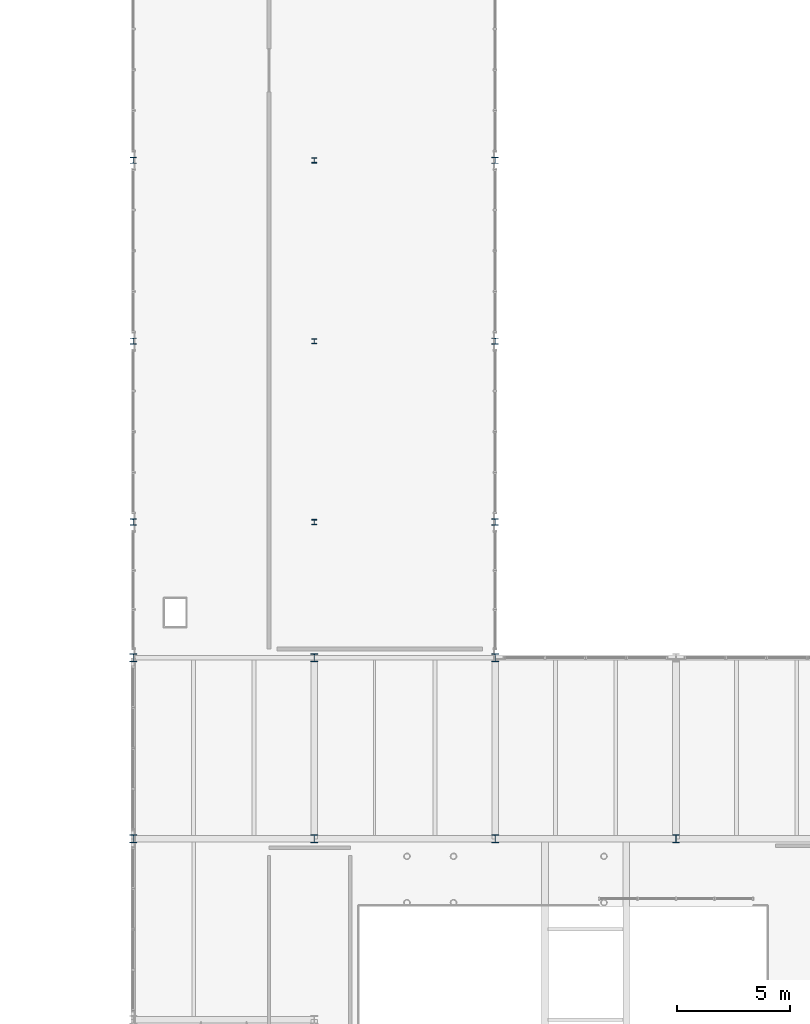
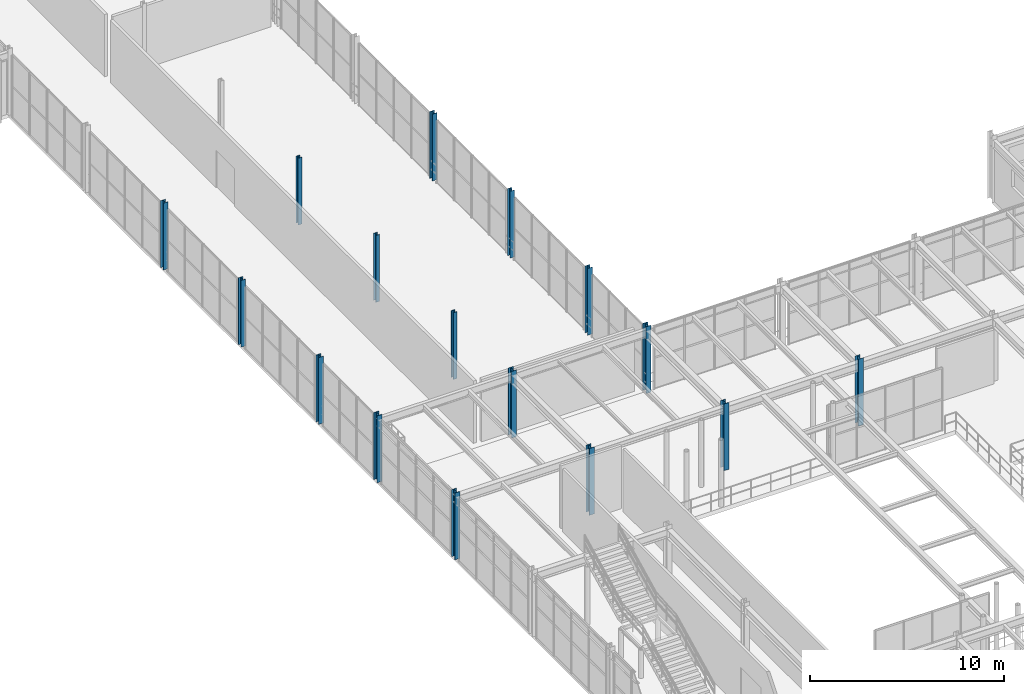
# One storey, part 5 of 122: 16 columns.
"""IFC4 building model written with IfcOpenShell, lengths in metres."""

from ifc_helpers import new_model, si_unit, direction, frame, origin, origin_2d, place, context, subcontext, project, spatial, i_section, extrude, material, material_profile, profile_set, type_object, element, save


model = new_model("IFC4")

# Units and contexts
model_context = context("Model", 3, precision=1e-05, world=origin(), true_north=direction((0.0, 1.0)))
body_context = subcontext(model_context, "Body", "Model", "MODEL_VIEW")
ifc_project = project(units=[si_unit("LENGTHUNIT", "METRE"), si_unit("AREAUNIT", "SQUARE_METRE"), si_unit("VOLUMEUNIT", "CUBIC_METRE"), si_unit("PLANEANGLEUNIT", "RADIAN"), si_unit("MASSUNIT", "GRAM", prefix="KILO")], contexts=[model_context])

# Site, building, storey
site_placement = place(None, origin())
site = spatial("IfcSite", under=ifc_project, at=site_placement, CompositionType="ELEMENT")
building_placement = place(site_placement, origin())
building = spatial("IfcBuilding", under=site, at=building_placement, Name="Sundkrona Museum", CompositionType="ELEMENT")
storey_placement = place(building_placement, frame((0.0, 0.0, 5.39990234375)))
storey = spatial("IfcBuildingStorey", under=building, at=storey_placement, Name="L01", CompositionType="ELEMENT", Elevation=5.39990234375)

# Columns
ifc_material = material(Name="Steel S355J2", Category="steel")
ifc_material_profile_1 = material_profile(ifc_material, i_section(OverallWidth=0.280029296875, OverallDepth=0.280029296875, WebThickness=0.010498046875, FlangeThickness=0.01806640625, FilletRadius=0.02392578125, at=origin_2d()), Name="HEB 280")
ifc_profile_set_1 = profile_set([ifc_material_profile_1], Name="Steel S355J2")
column_type_1 = type_object("IfcColumnType", Name="C-HEB280", PredefinedType="COLUMN", material=ifc_profile_set_1)
for number, where, z_axis, x_axis, name in (
    (1, (80.0, 46.0, 0.0), (0.0, 0.0, 1.0), (1.0, 0.0, 0.0), "L01 Column G/11"),
    (2, (80.0, 54.0, 0.0), (0.0, 0.0, 1.0), (1.0, 0.0, 0.0), "L01 Column H/11"),
    (3, (80.0, 62.0, 0.0), (0.0, 0.0, 1.0), (1.0, 0.0, 0.0), "L01 Column J/11"),
    (4, (96.0, 46.0, 0.0), (0.0, 0.0, 1.0), (1.0, 0.0, 0.0), "L01 Column G/13"),
    (5, (96.0, 54.0, 0.0), (0.0, 0.0, 1.0), (1.0, 0.0, 0.0), "L01 Column H/13"),
    (6, (96.0, 62.0, 0.0), (0.0, 0.0, 1.0), (1.0, 0.0, 0.0), "L01 Column J/13"),
):
    element("IfcColumn", number, at=place(storey_placement, frame(where, z_axis=z_axis, x_axis=x_axis)), inside=storey, type_object=column_type_1, Name=name, PredefinedType="COLUMN", context=body_context, shape_type="SweptSolid", body=[
        extrude(i_section(OverallWidth=0.280029296875, OverallDepth=0.280029296875, WebThickness=0.010498046875, FlangeThickness=0.01806640625, FilletRadius=0.02392578125, at=origin_2d()), origin(), (0.0, 0.0, 1.0), 4.2001953125),
    ])
ifc_material_profile_2 = material_profile(ifc_material, i_section(OverallWidth=0.300048828125, OverallDepth=0.360107421875, WebThickness=0.012451171875, FlangeThickness=0.0224609375, FilletRadius=0.027099609375, at=origin_2d()), Name="HEB 360")
ifc_profile_set_2 = profile_set([ifc_material_profile_2], Name="Steel S355J2")
column_type_2 = type_object("IfcColumnType", Name="C-HEB360", PredefinedType="COLUMN", material=ifc_profile_set_2)
for number, where, z_axis, x_axis, name in (
    (7, (80.0, 32.0, 0.0), (0.0, 0.0, 1.0), (1.0, 0.0, 0.0), "L01 Column E/11"),
    (8, (80.0, 40.0, 0.0), (0.0, 0.0, 1.0), (1.0, 0.0, 0.0), "L01 Column F/11"),
    (9, (88.0, 32.0, 0.0), (0.0, 0.0, 1.0), (1.0, 0.0, 0.0), "L01 Column E/12"),
    (10, (88.0, 40.0, 0.0), (0.0, 0.0, 1.0), (1.0, 0.0, 0.0), "L01 Column F/12"),
    (11, (96.0, 32.0, 0.0), (0.0, 0.0, 1.0), (1.0, 0.0, 0.0), "L01 Column E/13"),
    (12, (96.0, 40.0, 0.0), (0.0, 0.0, 1.0), (1.0, 0.0, 0.0), "L01 Column F/13"),
    (13, (104.0, 32.0, 0.0), (0.0, 0.0, 1.0), (1.0, 0.0, 0.0), "L01 Column E/14"),
):
    element("IfcColumn", number, at=place(storey_placement, frame(where, z_axis=z_axis, x_axis=x_axis)), inside=storey, type_object=column_type_2, Name=name, PredefinedType="COLUMN", context=body_context, shape_type="SweptSolid", body=[
        extrude(i_section(OverallWidth=0.300048828125, OverallDepth=0.360107421875, WebThickness=0.012451171875, FlangeThickness=0.0224609375, FilletRadius=0.027099609375, at=origin_2d()), origin(), (0.0, 0.0, 1.0), 4.2001953125),
    ])
ifc_material_profile_3 = material_profile(ifc_material, i_section(OverallWidth=0.22607421875, OverallDepth=0.239990234375, WebThickness=0.015380859375, FlangeThickness=0.02587890625, FilletRadius=0.01806640625, at=origin_2d()), Name="HEM 220")
ifc_profile_set_3 = profile_set([ifc_material_profile_3], Name="Steel S355J2")
column_type_3 = type_object("IfcColumnType", Name="C-HEM220", PredefinedType="COLUMN", material=ifc_profile_set_3)
for number, where, z_axis, x_axis, name in (
    (14, (88.0, 46.0, 0.0), (0.0, 0.0, 1.0), (1.0, 0.0, 0.0), "L01 Column G/12"),
    (15, (88.0, 54.0, 0.0), (0.0, 0.0, 1.0), (1.0, 0.0, 0.0), "L01 Column H/12"),
    (16, (88.0, 62.0, 0.0), (0.0, 0.0, 1.0), (1.0, 0.0, 0.0), "L01 Column J/12"),
):
    element("IfcColumn", number, at=place(storey_placement, frame(where, z_axis=z_axis, x_axis=x_axis)), inside=storey, type_object=column_type_3, Name=name, PredefinedType="COLUMN", context=body_context, shape_type="SweptSolid", body=[
        extrude(i_section(OverallWidth=0.22607421875, OverallDepth=0.239990234375, WebThickness=0.015380859375, FlangeThickness=0.02587890625, FilletRadius=0.01806640625, at=origin_2d()), origin(), (0.0, 0.0, 1.0), 4.2001953125),
    ])

save(model, "model.ifc")
